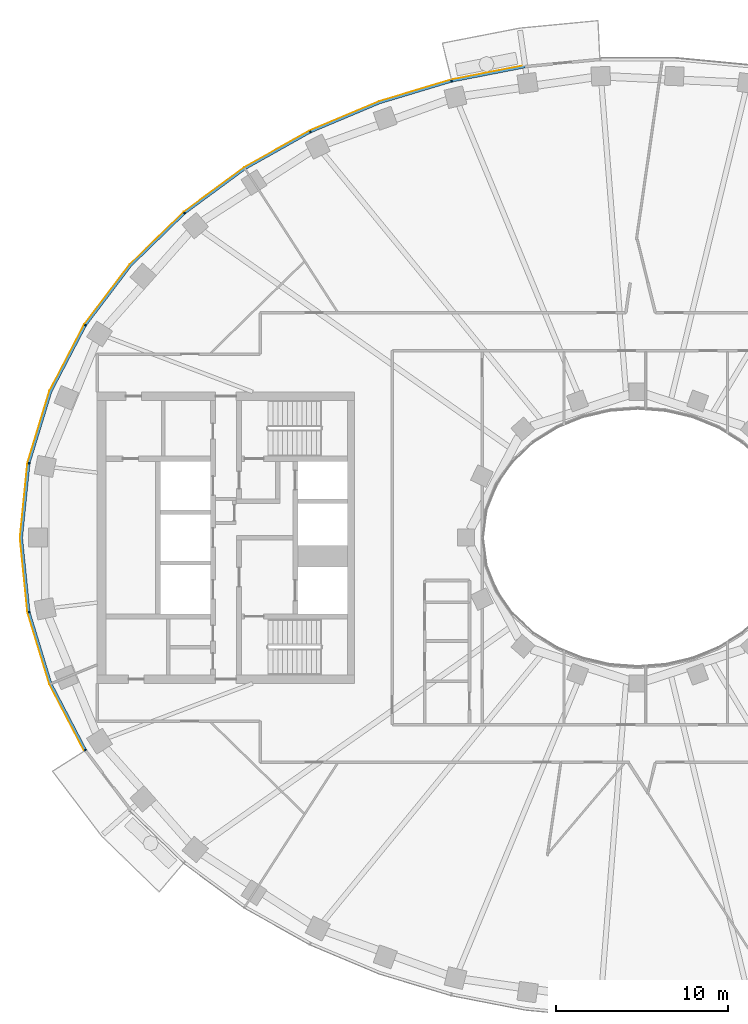
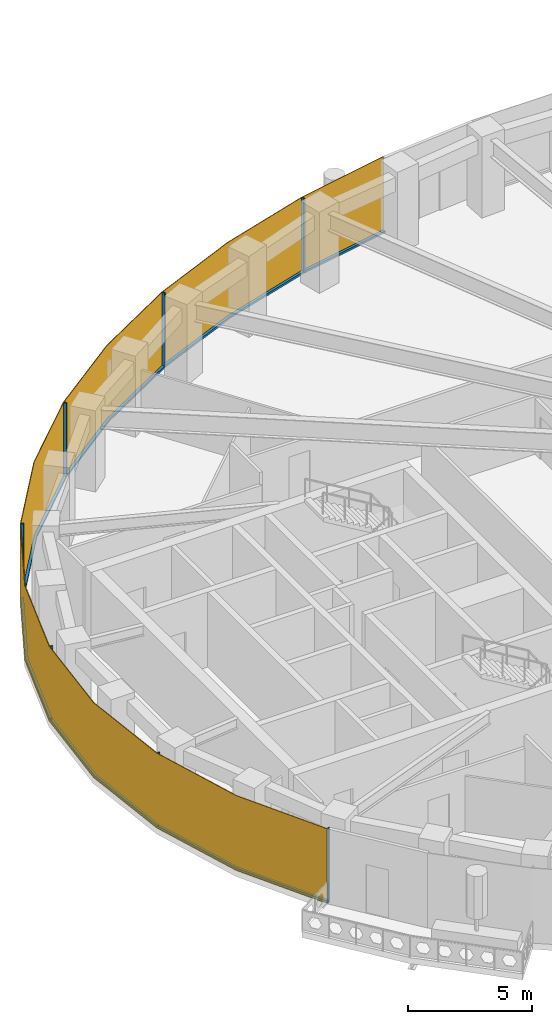
# One storey, part 11 of 16: 14 members, 1 curtain wall.
"""IFC4 building model written with IfcOpenShell, lengths in metres."""

import ifcopenshell
import ifcopenshell.guid

model = None  # the IFC model being written
_history = None  # IfcOwnerHistory: only IFC2X3 demands one
_inside = {}  # id of a spatial element -> (the spatial element, [elements in it])
_under = {}  # id of a project, library or spatial element -> (it, [spatial elements below it])
_declared = {}  # id of a project -> (the project, [libraries it declares])
_typed = {}  # id of a type object -> (the type object, [elements of that type])
_made_of = {}  # id of a material, layer set ... -> (it, [elements and type objects made of it])


def new_model(schema):
    """Start an empty IFC model of exactly this schema.

    Asked for "IFC4X3", IfcOpenShell would pick the latest addendum, in which some entities
    have other attributes; the version numbers below select the first issue.
    IFC2X3 requires an IfcOwnerHistory on every rooted entity: one is made here for all.
    """
    global model, _history
    if schema == "IFC4X3":
        model = ifcopenshell.file(schema_version=(4, 3, 0, 0))
    else:
        model = ifcopenshell.file(schema=schema)
    _inside.clear()
    _under.clear()
    _declared.clear()
    _typed.clear()
    _made_of.clear()
    _history = None
    if model.schema == "IFC2X3":
        org = make("IfcOrganization", Name="unknown")
        user = make(
            "IfcPersonAndOrganization",
            ThePerson=make("IfcPerson", FamilyName="unknown"),
            TheOrganization=org,
        )
        app = make(
            "IfcApplication",
            ApplicationDeveloper=org,
            Version="unknown",
            ApplicationFullName="unknown",
            ApplicationIdentifier="unknown",
        )
        _history = make(
            "IfcOwnerHistory",
            OwningUser=user,
            OwningApplication=app,
            ChangeAction="ADDED",
            CreationDate=0,
        )
    return model


def make(cls, **values):
    """One entity of the class cls with the attributes given. An attribute that is None is left unset."""
    return model.create_entity(
        cls, **{name: value for name, value in values.items() if value is not None}
    )


def rooted(cls, **values):
    """An entity with a GlobalId (a new one), such as an element, a storey or a relation."""
    return make(cls, GlobalId=ifcopenshell.guid.new(), OwnerHistory=_history, **values)


def si_unit(unit_type, name, prefix=None):
    """IfcSIUnit, for example si_unit("LENGTHUNIT", "METRE", prefix="MILLI")."""
    return make("IfcSIUnit", UnitType=unit_type, Prefix=prefix, Name=name)


def assignment(units):
    """IfcUnitAssignment: the units of a project."""
    return None if units is None else make("IfcUnitAssignment", Units=units)


def point(xyz):
    """IfcCartesianPoint."""
    return None if xyz is None else make("IfcCartesianPoint", Coordinates=xyz)


def direction(xyz):
    """IfcDirection."""
    return None if xyz is None else make("IfcDirection", DirectionRatios=xyz)


def frame(location, z_axis=None, x_axis=None):
    """IfcAxis2Placement3D, a coordinate frame: its origin and axes. An axis left out is left unset."""
    return make(
        "IfcAxis2Placement3D",
        Location=point(location),
        Axis=direction(z_axis),
        RefDirection=direction(x_axis),
    )


def frame_2d(location, x_axis=None):
    """IfcAxis2Placement2D, a coordinate frame in the plane: its origin and x axis."""
    return make(
        "IfcAxis2Placement2D", Location=point(location), RefDirection=direction(x_axis)
    )


def origin():
    """The frame at (0, 0, 0) with its axes left unset."""
    return frame((0.0, 0.0, 0.0))


def origin_2d():
    """The frame at (0, 0) in the plane with its x axis left unset."""
    return frame_2d((0.0, 0.0))


def place(relative_to, where):
    """IfcLocalPlacement: puts the frame where relative to a parent placement (None: the world)."""
    return make(
        "IfcLocalPlacement", PlacementRelTo=relative_to, RelativePlacement=where
    )


def context(
    kind, dimensions, precision=None, world=None, true_north=None, identifier=None
):
    """IfcGeometricRepresentationContext, for example the 3D "Model" context."""
    return make(
        "IfcGeometricRepresentationContext",
        ContextIdentifier=identifier,
        ContextType=kind,
        CoordinateSpaceDimension=dimensions,
        Precision=precision,
        WorldCoordinateSystem=world,
        TrueNorth=true_north,
    )


def subcontext(parent, identifier, kind, view, scale=None):
    """IfcGeometricRepresentationSubContext, for example "Body" below "Model"."""
    return make(
        "IfcGeometricRepresentationSubContext",
        ContextIdentifier=identifier,
        ContextType=kind,
        ParentContext=parent,
        TargetScale=scale,
        TargetView=view,
    )


def project(units=None, contexts=None):
    """IfcProject with its units and contexts."""
    return rooted(
        "IfcProject",
        Name="project",
        RepresentationContexts=contexts,
        UnitsInContext=assignment(units),
    )


def spatial(cls, under=None, at=None, **own):
    """A site, building, storey or space (cls), placed at a placement, below another one or the project."""
    s = rooted(cls, ObjectPlacement=at, **own)
    if under is not None:
        _under.setdefault(under.id(), (under, []))[1].append(s)
    return s


def polyline(points):
    """IfcPolyline through the points."""
    return make("IfcPolyline", Points=[point(p) for p in points])


def profile(cls, at=None, kind="AREA", **sizes):
    """A parametric profile (cls). Its sizes go by their IFC names, for example OverallWidth=200.0."""
    return make(cls, ProfileType=kind, Position=at, **sizes)


def rectangle(**sizes):
    """IfcRectangleProfileDef."""
    return profile("IfcRectangleProfileDef", **sizes)


def outline(outer, holes=None, kind="AREA"):
    """IfcArbitraryClosedProfileDef: a profile drawn as a closed curve; with holes, ...WithVoids."""
    if holes is None:
        return make("IfcArbitraryClosedProfileDef", ProfileType=kind, OuterCurve=outer)
    return make(
        "IfcArbitraryProfileDefWithVoids",
        ProfileType=kind,
        OuterCurve=outer,
        InnerCurves=holes,
    )


def extrude(swept, where, along, depth):
    """IfcExtrudedAreaSolid: the profile swept, set in the frame where, extruded along a direction by depth."""
    return make(
        "IfcExtrudedAreaSolid",
        SweptArea=swept,
        Position=where,
        ExtrudedDirection=direction(along),
        Depth=depth,
    )


def shape(context_of_items, identifier, shape_type, items):
    """IfcShapeRepresentation: the items that make up one representation, for example the "Body"."""
    return make(
        "IfcShapeRepresentation",
        ContextOfItems=context_of_items,
        RepresentationIdentifier=identifier,
        RepresentationType=shape_type,
        Items=items,
    )


def material(Name=None, Category=None):
    """IfcMaterial."""
    return make("IfcMaterial", Name=Name, Category=Category)


def layer(
    of_material, thickness, ventilated=None, Name=None, Category=None, Priority=None
):
    """IfcMaterialLayer: one layer of a wall or slab, of a material (None: an air gap)."""
    return make(
        "IfcMaterialLayer",
        Material=of_material,
        LayerThickness=thickness,
        IsVentilated=ventilated,
        Name=Name,
        Category=Category,
        Priority=Priority,
    )


def layer_set(layers, Name=None):
    """IfcMaterialLayerSet."""
    return make("IfcMaterialLayerSet", MaterialLayers=layers, LayerSetName=Name)


def material_profile(
    of_material, cross_section, Name=None, Category=None, Priority=None
):
    """IfcMaterialProfile: a cross section and its material."""
    return make(
        "IfcMaterialProfile",
        Name=Name,
        Material=of_material,
        Profile=cross_section,
        Priority=Priority,
        Category=Category,
    )


def profile_set(profiles, Name=None, composite=None):
    """IfcMaterialProfileSet."""
    return make(
        "IfcMaterialProfileSet",
        Name=Name,
        MaterialProfiles=profiles,
        CompositeProfile=composite,
    )


def made_of(thing, what):
    """Note that an element or type object is made of a material, layer set ...; save() writes the relation."""
    if what is not None:
        _made_of.setdefault(what.id(), (what, []))[1].append(thing)
    return thing


def type_object(cls, material=None, **own):
    """A type object (cls), such as IfcWallType, which elements share."""
    return made_of(rooted(cls, **own), material)


def element(
    cls,
    number,
    at=None,
    inside=None,
    cuts=None,
    type_object=None,
    material=None,
    context=None,
    identifier="Body",
    shape_type=None,
    held_by="IfcProductDefinitionShape",
    body=None,
    shapes=None,
    **own,
):
    """One element of the class cls, such as IfcWall. Its Tag is "e" and its number.

    at: its placement. inside: the storey or other place that contains it. cuts: it is an
    opening in that element (IfcRelVoidsElement). A single representation is given by context,
    identifier, shape_type and body (its items); several are given by shapes. held_by: the class
    of the entity that holds the representations. save() writes the other relations.
    """
    e = rooted(cls, Tag="e%d" % number, ObjectPlacement=at, **own)
    if body is not None:
        shapes = [shape(context, identifier, shape_type, body)]
    if shapes is not None:
        e.Representation = make(held_by, Representations=shapes)
    if inside is not None:
        _inside.setdefault(inside.id(), (inside, []))[1].append(e)
    if cuts is not None:
        rooted(
            "IfcRelVoidsElement", RelatingBuildingElement=cuts, RelatedOpeningElement=e
        )
    if type_object is not None:
        _typed.setdefault(type_object.id(), (type_object, []))[1].append(e)
    return made_of(e, material)


def aggregate(whole, parts):
    """IfcRelAggregates: a whole, such as a stair, and the parts it consists of."""
    return rooted("IfcRelAggregates", RelatingObject=whole, RelatedObjects=parts)


def save(model, path):
    """Write the relations noted so far, then the file.

    IfcRelAggregates (storeys below a building ...), IfcRelContainedInSpatialStructure (elements
    in a storey), IfcRelDefinesByType, IfcRelAssociatesMaterial and IfcRelDeclares: one each for
    every whole, place, type object, material and project.
    """
    for whole, parts in _under.values():
        aggregate(whole, parts)
    for where, things in _inside.values():
        rooted(
            "IfcRelContainedInSpatialStructure",
            RelatedElements=things,
            RelatingStructure=where,
        )
    for kind, things in _typed.values():
        rooted("IfcRelDefinesByType", RelatedObjects=things, RelatingType=kind)
    for what, things in _made_of.values():
        rooted("IfcRelAssociatesMaterial", RelatedObjects=things, RelatingMaterial=what)
    for by, libraries in _declared.values():
        rooted("IfcRelDeclares", RelatingContext=by, RelatedDefinitions=libraries)
    model.write(path)


model = new_model("IFC4")

# Units and contexts
model_context = context("Model", 3, precision=1e-05, world=origin(), true_north=direction((0.0, 1.0)))
body_context = subcontext(model_context, "Body", "Model", "MODEL_VIEW")
ifc_project = project(units=[si_unit("LENGTHUNIT", "METRE"), si_unit("AREAUNIT", "SQUARE_METRE"), si_unit("VOLUMEUNIT", "CUBIC_METRE"), si_unit("PLANEANGLEUNIT", "RADIAN"), si_unit("MASSUNIT", "GRAM", prefix="KILO")], contexts=[model_context])

# Member
ifc_material_1 = material(Name="Aluminium 6063-T6 black anodised", Category="aluminium")
ifc_material_profile = material_profile(ifc_material_1, rectangle(XDim=0.1201171875, YDim=0.06005859375, at=origin_2d()), Name="120x60")
ifc_profile_set = profile_set([ifc_material_profile], Name="Aluminium 6063-T6 black anodised")
member_type_1 = type_object("IfcMemberType", Name="ENV-MULLION-A-120", PredefinedType="MULLION", material=ifc_profile_set)
site_placement = place(None, origin())
building_placement = place(site_placement, origin())
storey_placement = place(building_placement, frame((0.0, 0.0, 257.5)))
member_1_placement = place(storey_placement, frame((-10.84326171875, 26.60498046875, 0.0), z_axis=(0.0, 0.0, 1.0), x_axis=(0.239799081534, -0.970822538106, 0.0)))
member_1 = element("IfcMember", 1, at=member_1_placement, type_object=member_type_1, Name="Mullion A radial 15", PredefinedType="MULLION", context=body_context, shape_type="SweptSolid", body=[
    extrude(rectangle(XDim=0.1201171875, YDim=0.06005859375, at=origin_2d()), origin(), (0.0, 0.0, 1.0), 3.699951171875),
])

member_2_placement = place(storey_placement, frame((-19.06787109375, 23.6474609375, 0.0), z_axis=(0.0, 0.0, 1.0), x_axis=(0.439237769837, -0.898370848563, 0.0)))
member_2 = element("IfcMember", 2, at=member_2_placement, type_object=member_type_1, Name="Mullion A radial 17", PredefinedType="MULLION", context=body_context, shape_type="SweptSolid", body=[
    extrude(rectangle(XDim=0.1201171875, YDim=0.06005859375, at=origin_2d()), origin(), (0.0, 0.0, 1.0), 3.699951171875),
])

member_3_placement = place(storey_placement, frame((-26.403564453125, 18.9130859375, 0.0), z_axis=(0.0, 0.0, 1.0), x_axis=(0.646451313783, -0.762955240435, 0.0)))
member_3 = element("IfcMember", 3, at=member_3_placement, type_object=member_type_1, Name="Mullion A radial 19", PredefinedType="MULLION", context=body_context, shape_type="SweptSolid", body=[
    extrude(rectangle(XDim=0.1201171875, YDim=0.06005859375, at=origin_2d()), origin(), (0.0, 0.0, 1.0), 3.699951171875),
])

member_4_placement = place(storey_placement, frame((-32.177490234375, 12.385498046875, 0.0), z_axis=(0.0, 0.0, 1.0), x_axis=(0.844829880882, -0.53503501976, 0.0)))
member_4 = element("IfcMember", 4, at=member_4_placement, type_object=member_type_1, Name="Mullion A radial 21", PredefinedType="MULLION", context=body_context, shape_type="SweptSolid", body=[
    extrude(rectangle(XDim=0.1201171875, YDim=0.06005859375, at=origin_2d()), origin(), (0.0, 0.0, 1.0), 3.699951171875),
])

member_5_placement = place(storey_placement, frame((-35.470947265625, 4.340576171875, 0.0), z_axis=(0.0, 0.0, 1.0), x_axis=(0.980379083141, -0.19712141776, 0.0)))
member_5 = element("IfcMember", 5, at=member_5_placement, type_object=member_type_1, Name="Mullion A radial 23", PredefinedType="MULLION", context=body_context, shape_type="SweptSolid", body=[
    extrude(rectangle(XDim=0.1201171875, YDim=0.06005859375, at=origin_2d()), origin(), (0.0, 0.0, 1.0), 3.699951171875),
])

member_6_placement = place(storey_placement, frame((-35.470947265625, -4.340576171875, 0.0), z_axis=(0.0, 0.0, 1.0), x_axis=(0.980379083141, 0.19712141776, 0.0)))
member_6 = element("IfcMember", 6, at=member_6_placement, type_object=member_type_1, Name="Mullion A radial 25", PredefinedType="MULLION", context=body_context, shape_type="SweptSolid", body=[
    extrude(rectangle(XDim=0.1201171875, YDim=0.06005859375, at=origin_2d()), origin(), (0.0, 0.0, 1.0), 3.699951171875),
])

member_7_placement = place(storey_placement, frame((-32.177490234375, -12.385498046875, 0.0), z_axis=(0.0, 0.0, 1.0), x_axis=(0.844829880882, 0.53503501976, 0.0)))
member_7 = element("IfcMember", 7, at=member_7_placement, type_object=member_type_1, Name="Mullion A radial 27", PredefinedType="MULLION", context=body_context, shape_type="SweptSolid", body=[
    extrude(rectangle(XDim=0.1201171875, YDim=0.06005859375, at=origin_2d()), origin(), (0.0, 0.0, 1.0), 3.699951171875),
])

ifc_material_2 = material(Name="Aluminium 6063-T6 black anodised", Category="aluminium")
member_type_2 = type_object("IfcMemberType", Name="ENV-TRANSOM-A", PredefinedType="USERDEFINED", material=ifc_material_2)
member_8_placement = place(storey_placement, origin())
member_8 = element("IfcMember", 8, at=member_8_placement, type_object=member_type_2, Name="Transom A radial 14-15", ObjectType="TRANSOM", PredefinedType="USERDEFINED", context=body_context, shape_type="SweptSolid", body=[
    extrude(outline(polyline([(-6.57470703125, 27.49560546875), (-10.830078125, 26.66845703125), (-10.80126953125, 26.552001953125), (-6.5576171875, 27.376708984375), (-6.57470703125, 27.49560546875)])), origin(), (0.0, 0.0, 1.0), 0.10009765625),
])

member_9_placement = place(storey_placement, origin())
member_9 = element("IfcMember", 9, at=member_9_placement, type_object=member_type_2, Name="Transom A radial 15-17", ObjectType="TRANSOM", PredefinedType="USERDEFINED", context=body_context, shape_type="SweptSolid", body=[
    extrude(outline(polyline([(-10.884521484375, 26.655029296875), (-15.054443359375, 25.400146484375), (-19.068359375, 23.71240234375), (-19.015380859375, 23.604248046875), (-15.013916015625, 25.287109375), (-10.855712890625, 26.53857421875), (-10.884521484375, 26.655029296875)])), origin(), (0.0, 0.0, 1.0), 0.10009765625),
])

member_10_placement = place(storey_placement, origin())
member_10 = element("IfcMember", 10, at=member_10_placement, type_object=member_type_2, Name="Transom A radial 17-19", ObjectType="TRANSOM", PredefinedType="USERDEFINED", context=body_context, shape_type="SweptSolid", body=[
    extrude(outline(polyline([(-19.11865234375, 23.687744140625), (-22.9150390625, 21.556884765625), (-26.419921875, 18.975341796875), (-26.342041015625, 18.883544921875), (-22.85009765625, 21.455810546875), (-19.06591796875, 23.57958984375), (-19.11865234375, 23.687744140625)])), origin(), (0.0, 0.0, 1.0), 0.10009765625),
])

member_11_placement = place(storey_placement, origin())
member_11 = element("IfcMember", 11, at=member_11_placement, type_object=member_type_2, Name="Transom A radial 19-21", ObjectType="TRANSOM", PredefinedType="USERDEFINED", context=body_context, shape_type="SweptSolid", body=[
    extrude(outline(polyline([(-26.46240234375, 18.939208984375), (-29.58349609375, 15.906982421875), (-32.211181640625, 12.43994140625), (-32.109375, 12.37548828125), (-29.493408203125, 15.8271484375), (-26.384765625, 18.847412109375), (-26.46240234375, 18.939208984375)])), origin(), (0.0, 0.0, 1.0), 0.10009765625),
])

member_12_placement = place(storey_placement, origin())
member_12 = element("IfcMember", 12, at=member_12_placement, type_object=member_type_2, Name="Transom A radial 21-23", ObjectType="TRANSOM", PredefinedType="USERDEFINED", context=body_context, shape_type="SweptSolid", body=[
    extrude(outline(polyline([(-32.240966796875, 12.392578125), (-34.251220703125, 8.53662109375), (-35.521484375, 4.379150390625), (-35.4033203125, 4.355224609375), (-34.139892578125, 8.490966796875), (-32.139404296875, 12.328369140625), (-32.240966796875, 12.392578125)])), origin(), (0.0, 0.0, 1.0), 0.10009765625),
])

member_13_placement = place(storey_placement, origin())
member_13 = element("IfcMember", 13, at=member_13_placement, type_object=member_type_2, Name="Transom A radial 23-25", ObjectType="TRANSOM", PredefinedType="USERDEFINED", context=body_context, shape_type="SweptSolid", body=[
    extrude(outline(polyline([(-35.532470703125, 4.324462890625), (-35.9677734375, 0.0), (-35.532470703125, -4.324462890625), (-35.414306640625, -4.30078125), (-35.84716796875, 0.0), (-35.414306640625, 4.30078125), (-35.532470703125, 4.324462890625)])), origin(), (0.0, 0.0, 1.0), 0.10009765625),
])

member_14_placement = place(storey_placement, origin())
member_14 = element("IfcMember", 14, at=member_14_placement, type_object=member_type_2, Name="Transom A radial 25-27", ObjectType="TRANSOM", PredefinedType="USERDEFINED", context=body_context, shape_type="SweptSolid", body=[
    extrude(outline(polyline([(-35.521484375, -4.379150390625), (-34.251220703125, -8.53662109375), (-32.240966796875, -12.392578125), (-32.139404296875, -12.328369140625), (-34.139892578125, -8.490966796875), (-35.4033203125, -4.355224609375), (-35.521484375, -4.379150390625)])), origin(), (0.0, 0.0, 1.0), 0.10009765625),
])

# Site, building, storey
site = spatial("IfcSite", under=ifc_project, at=site_placement, CompositionType="ELEMENT")
building = spatial("IfcBuilding", under=site, at=building_placement, Name="Noorbagh Ring Tower", CompositionType="ELEMENT")
storey = spatial("IfcBuildingStorey", under=building, at=storey_placement, Name="L54", CompositionType="ELEMENT", Elevation=257.5)

# Curtain wall
ifc_material_3 = material(Name="Glass dark tinted laminated", Category="glass")
ifc_layer = layer(ifc_material_3, 0.031982421875)
ifc_layer_set = layer_set([ifc_layer], Name="Glass dark tinted laminated")
curtain_wall_type = type_object("IfcCurtainWallType", Name="ENV-CW-A", PredefinedType="NOTDEFINED", material=ifc_layer_set)
curtain_wall_placement = place(storey_placement, origin())
curtain_wall = element("IfcCurtainWall", 15, at=curtain_wall_placement, inside=storey, type_object=curtain_wall_type, Name="Curtain wall A R14", PredefinedType="NOTDEFINED", context=body_context, shape_type="SweptSolid", body=[
    extrude(outline(polyline([(-6.579345703125, 27.52734375), (-10.865234375, 26.6943359375), (-15.065185546875, 25.430419921875), (-19.108154296875, 23.730224609375), (-22.9326171875, 21.583740234375), (-26.463134765625, 18.9833984375), (-29.607666015625, 15.927978515625), (-32.255126953125, 12.434814453125), (-34.281005859375, 8.548828125), (-35.561279296875, 4.358642578125), (-36.0, 0.0), (-35.561279296875, -4.358642578125), (-34.281005859375, -8.548828125), (-32.264404296875, -12.4169921875), (-32.2373046875, -12.39990234375), (-34.251220703125, -8.53662109375), (-35.529541015625, -4.352294921875), (-35.9677734375, 0.0), (-35.529541015625, 4.352294921875), (-34.251220703125, 8.53662109375), (-32.22802734375, 12.41748046875), (-29.58349609375, 15.906982421875), (-26.4423828125, 18.958740234375), (-22.9150390625, 21.556884765625), (-19.093994140625, 23.701416015625), (-15.054443359375, 25.400146484375), (-10.857666015625, 26.6630859375), (-6.57470703125, 27.49560546875), (-6.579345703125, 27.52734375)])), origin(), (0.0, 0.0, 1.0), 3.699951171875),
])

aggregate(curtain_wall, [member_1, member_2, member_3, member_4, member_5, member_6, member_7, member_8, member_9, member_10, member_11, member_12, member_13, member_14])

save(model, "model.ifc")
